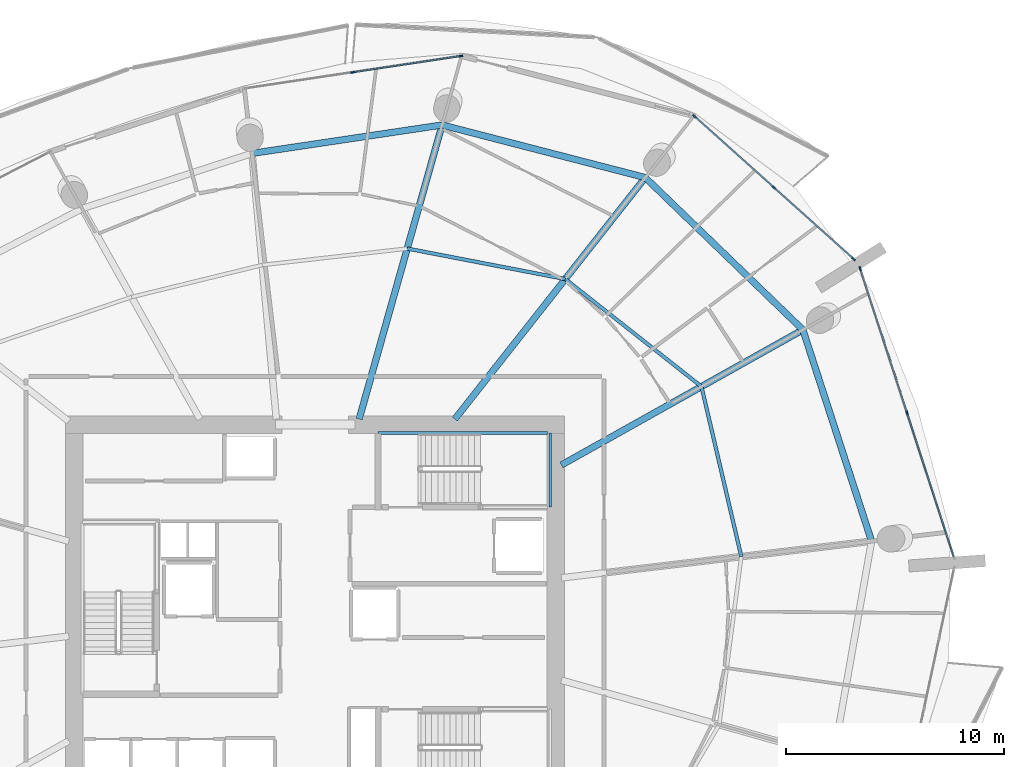
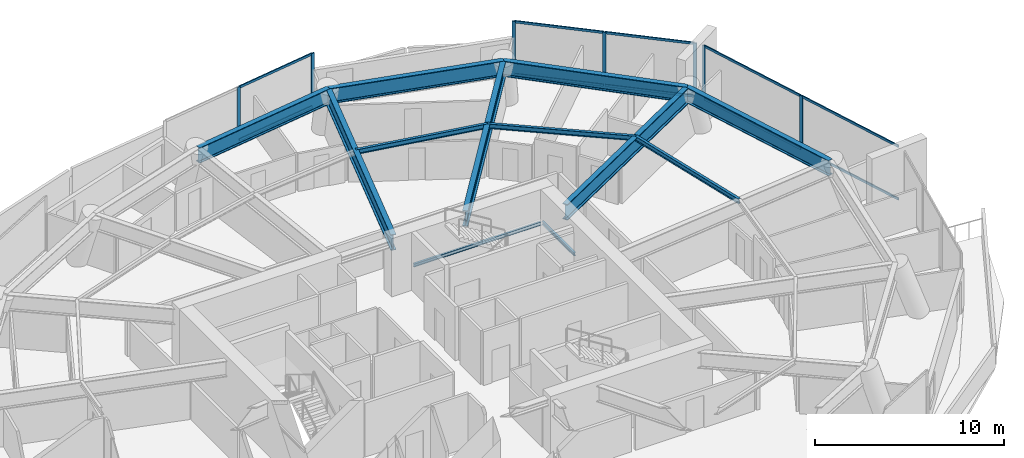
# One storey, part 9 of 23: 17 members, 12 beams, 3 elements without a shape of their own.
"""IFC4 building model written with IfcOpenShell, lengths in metres."""

from ifc_helpers import new_model, si_unit, direction, frame, origin, origin_2d, place, context, subcontext, project, spatial, rectangle, i_section, extrude, material, layer, layer_set, material_profile, profile_set, type_object, element, aggregate, save


model = new_model("IFC4")

# Units and contexts
model_context = context("Model", 3, precision=1e-05, world=origin(), true_north=direction((0.0, 1.0)))
body_context = subcontext(model_context, "Body", "Model", "MODEL_VIEW")
ifc_project = project(units=[si_unit("LENGTHUNIT", "METRE"), si_unit("AREAUNIT", "SQUARE_METRE"), si_unit("VOLUMEUNIT", "CUBIC_METRE"), si_unit("PLANEANGLEUNIT", "RADIAN"), si_unit("MASSUNIT", "GRAM", prefix="KILO")], contexts=[model_context])

# Site, building, storey
site_placement = place(None, origin())
site = spatial("IfcSite", under=ifc_project, at=site_placement, CompositionType="ELEMENT")
building_placement = place(site_placement, origin())
building = spatial("IfcBuilding", under=site, at=building_placement, Name="Kazma Halo Residences", CompositionType="ELEMENT")
storey_placement = place(building_placement, frame((0.0, 0.0, 112.64990234375)))
storey = spatial("IfcBuildingStorey", under=building, at=storey_placement, Name="L28", CompositionType="ELEMENT", Elevation=112.64990234375)

# Beams
ifc_material_1 = material(Name="Steel S355", Category="steel")
ifc_material_profile_1 = material_profile(ifc_material_1, i_section(OverallWidth=0.1650390625, OverallDepth=0.31005859375, WebThickness=0.005859375, FlangeThickness=0.009765625, FilletRadius=0.011962890625, at=origin_2d()), Name="W310x38.7")
ifc_profile_set_1 = profile_set([ifc_material_profile_1], Name="Steel S355")
beam_type_1 = type_object("IfcBeamType", Name="BM-SEC-W310B", PredefinedType="JOIST", material=ifc_profile_set_1)
beam_1_placement = place(storey_placement, frame((66.110595703125, 52.142333984375, 3.315185546875), z_axis=(-0.784864670707, 0.619667208004, 0.0), x_axis=(-0.619667208004, -0.784864670707, 0.0)))
element("IfcBeam", 1, at=beam_1_placement, inside=storey, type_object=beam_type_1, Name="L28 circumferential floor joist 01", PredefinedType="JOIST", context=body_context, shape_type="SweptSolid", body=[
    extrude(i_section(OverallWidth=0.1650390625, OverallDepth=0.31005859375, WebThickness=0.005859375, FlangeThickness=0.009765625, FilletRadius=0.011962890625, at=origin_2d()), origin(), (0.0, 0.0, 1.0), 7.943603515625),
])
beam_2_placement = place(storey_placement, frame((59.8759765625, 57.064697265625, 3.315185546875), z_axis=(-0.981894944098, 0.189426288449, 0.0), x_axis=(-0.189426288449, -0.981894944098, 0.0)))
element("IfcBeam", 2, at=beam_2_placement, inside=storey, type_object=beam_type_1, Name="L28 circumferential floor joist 02", PredefinedType="JOIST", context=body_context, shape_type="SweptSolid", body=[
    extrude(i_section(OverallWidth=0.1650390625, OverallDepth=0.31005859375, WebThickness=0.005859375, FlangeThickness=0.009765625, FilletRadius=0.011962890625, at=origin_2d()), origin(), (0.0, 0.0, 1.0), 7.366943359375),
])
beam_3_placement = place(storey_placement, frame((67.934326171875, 44.359375, 3.315185546875), z_axis=(-0.228143824758, 0.973627441697, 0.0), x_axis=(-0.973627441697, -0.228143824758, 0.0)))
element("IfcBeam", 3, at=beam_3_placement, inside=storey, type_object=beam_type_1, Name="L28 circumferential floor joist 16", PredefinedType="JOIST", context=body_context, shape_type="SweptSolid", body=[
    extrude(i_section(OverallWidth=0.1650390625, OverallDepth=0.31005859375, WebThickness=0.005859375, FlangeThickness=0.009765625, FilletRadius=0.011962890625, at=origin_2d()), origin(), (0.0, 0.0, 1.0), 7.993896484375),
])
ifc_material_profile_2 = material_profile(ifc_material_1, i_section(OverallWidth=0.302001953125, OverallDepth=1.01806640625, WebThickness=0.021484375, FlangeThickness=0.049072265625, FilletRadius=0.028076171875, at=origin_2d()), Name="W1000x443")
ifc_profile_set_2 = profile_set([ifc_material_profile_2], Name="Steel S355")
beam_type_2 = type_object("IfcBeamType", Name="BM-TRANS-W1000A", PredefinedType="BEAM", material=ifc_profile_set_2)
beam_4_placement = place(storey_placement, frame((59.699951171875, 48.55224609375, 2.961181640625), z_axis=(0.872496814107, 0.48861980043, 0.0), x_axis=(-0.48861980043, 0.872496814107, 0.0)))
element("IfcBeam", 4, at=beam_4_placement, inside=storey, type_object=beam_type_2, Name="L28 podium radial transfer girder 01", PredefinedType="BEAM", context=body_context, shape_type="SweptSolid", body=[
    extrude(i_section(OverallWidth=0.302001953125, OverallDepth=1.01806640625, WebThickness=0.021484375, FlangeThickness=0.049072265625, FilletRadius=0.028076171875, at=origin_2d()), origin(), (0.0, 0.0, 1.0), 12.668212890625),
])
beam_5_placement = place(storey_placement, frame((54.819091796875, 50.64990234375, 2.961181640625), z_axis=(0.619089364637, 0.785320545123, 0.0), x_axis=(-0.785320545123, 0.619089364637, 0.0)))
element("IfcBeam", 5, at=beam_5_placement, inside=storey, type_object=beam_type_2, Name="L28 podium radial transfer girder 02", PredefinedType="BEAM", context=body_context, shape_type="SweptSolid", body=[
    extrude(i_section(OverallWidth=0.302001953125, OverallDepth=1.01806640625, WebThickness=0.021484375, FlangeThickness=0.049072265625, FilletRadius=0.028076171875, at=origin_2d()), origin(), (0.0, 0.0, 1.0), 14.083251953125),
])
beam_6_placement = place(storey_placement, frame((50.439697265625, 50.64990234375, 2.961181640625), z_axis=(0.271430738381, 0.962457975323, 0.0), x_axis=(-0.962457975323, 0.271430738381, 0.0)))
element("IfcBeam", 6, at=beam_6_placement, inside=storey, type_object=beam_type_2, Name="L28 podium radial transfer girder 03", PredefinedType="BEAM", context=body_context, shape_type="SweptSolid", body=[
    extrude(i_section(OverallWidth=0.302001953125, OverallDepth=1.01806640625, WebThickness=0.021484375, FlangeThickness=0.049072265625, FilletRadius=0.028076171875, at=origin_2d()), origin(), (0.0, 0.0, 1.0), 13.990966796875),
])
ifc_material_profile_3 = material_profile(ifc_material_1, i_section(OverallWidth=0.300048828125, OverallDepth=1.0, WebThickness=0.01904296875, FlangeThickness=0.0400390625, FilletRadius=0.02587890625, at=origin_2d()), Name="W1000x371")
ifc_profile_set_3 = profile_set([ifc_material_profile_3], Name="Steel S355")
beam_type_3 = type_object("IfcBeamType", Name="BM-TRANS-W1000B", PredefinedType="BEAM", material=ifc_profile_set_3)
beam_7_placement = place(storey_placement, frame((70.7529296875, 54.7421875, 2.97021484375), z_axis=(-0.71933980474, 0.694658365901, 0.0), x_axis=(-0.694658365901, -0.71933980474, 0.0)))
element("IfcBeam", 7, at=beam_7_placement, inside=storey, type_object=beam_type_3, Name="L28 perimeter ring beam 01", PredefinedType="BEAM", context=body_context, shape_type="SweptSolid", body=[
    extrude(i_section(OverallWidth=0.300048828125, OverallDepth=1.0, WebThickness=0.01904296875, FlangeThickness=0.0400390625, FilletRadius=0.02587890625, at=origin_2d()), origin(), (0.0, 0.0, 1.0), 10.0302734375),
])
beam_8_placement = place(storey_placement, frame((63.537841796875, 61.709716796875, 2.97021484375), z_axis=(-0.968129383871, 0.250450586115, 0.0), x_axis=(-0.250450586115, -0.968129383871, 0.0)))
element("IfcBeam", 8, at=beam_8_placement, inside=storey, type_object=beam_type_3, Name="L28 perimeter ring beam 02", PredefinedType="BEAM", context=body_context, shape_type="SweptSolid", body=[
    extrude(i_section(OverallWidth=0.300048828125, OverallDepth=1.0, WebThickness=0.01904296875, FlangeThickness=0.0400390625, FilletRadius=0.02587890625, at=origin_2d()), origin(), (0.0, 0.0, 1.0), 9.606689453125),
])
beam_9_placement = place(storey_placement, frame((54.2373046875, 64.11572265625, 2.97021484375), z_axis=(-0.989037895596, -0.147661914772, 0.0), x_axis=(0.147661914772, -0.989037895596, 0.0)))
element("IfcBeam", 9, at=beam_9_placement, inside=storey, type_object=beam_type_3, Name="L28 perimeter ring beam 03", PredefinedType="BEAM", context=body_context, shape_type="SweptSolid", body=[
    extrude(i_section(OverallWidth=0.300048828125, OverallDepth=1.0, WebThickness=0.01904296875, FlangeThickness=0.0400390625, FilletRadius=0.02587890625, at=origin_2d()), origin(), (0.0, 0.0, 1.0), 8.797607421875),
])
beam_10_placement = place(storey_placement, frame((73.897216796875, 45.065185546875, 2.97021484375), z_axis=(-0.30902042344, 0.951055402118, 0.0), x_axis=(-0.951055402118, -0.30902042344, 0.0)))
element("IfcBeam", 10, at=beam_10_placement, inside=storey, type_object=beam_type_3, Name="L28 perimeter ring beam 16", PredefinedType="BEAM", context=body_context, shape_type="SweptSolid", body=[
    extrude(i_section(OverallWidth=0.300048828125, OverallDepth=1.0, WebThickness=0.01904296875, FlangeThickness=0.0400390625, FilletRadius=0.02587890625, at=origin_2d()), origin(), (0.0, 0.0, 1.0), 10.175048828125),
])
ifc_material_profile_4 = material_profile(ifc_material_1, i_section(OverallWidth=0.133056640625, OverallDepth=0.20703125, WebThickness=0.005859375, FlangeThickness=0.00830078125, FilletRadius=0.010009765625, at=origin_2d()), Name="W200x26.6")
ifc_profile_set_4 = profile_set([ifc_material_profile_4], Name="Steel S355")
beam_type_4 = type_object("IfcBeamType", Name="BM-TRIM-W200", PredefinedType="BEAM", material=ifc_profile_set_4)
beam_11_placement = place(storey_placement, frame((51.31005859375, 50.02001953125, 1.570068359375), z_axis=(1.0, 0.0, 0.0), x_axis=(0.0, 1.0, 0.0)))
element("IfcBeam", 11, at=beam_11_placement, inside=storey, type_object=beam_type_4, Name="L28 ST-02 landing north wall ledger", PredefinedType="BEAM", context=body_context, shape_type="SweptSolid", body=[
    extrude(i_section(OverallWidth=0.133056640625, OverallDepth=0.20703125, WebThickness=0.005859375, FlangeThickness=0.00830078125, FilletRadius=0.010009765625, at=origin_2d()), origin(), (0.0, 0.0, 1.0), 7.760009765625),
])
beam_12_placement = place(storey_placement, frame((59.18994140625, 46.6201171875, 1.570068359375), z_axis=(0.0, 1.0, 0.0), x_axis=(-1.0, 0.0, 0.0)))
element("IfcBeam", 12, at=beam_12_placement, inside=storey, type_object=beam_type_4, Name="L28 ST-02 landing end wall ledger", PredefinedType="BEAM", context=body_context, shape_type="SweptSolid", body=[
    extrude(i_section(OverallWidth=0.133056640625, OverallDepth=0.20703125, WebThickness=0.005859375, FlangeThickness=0.00830078125, FilletRadius=0.010009765625, at=origin_2d()), origin(), (0.0, 0.0, 1.0), 3.39990234375),
])

# Curtain wall, members
ifc_material_2 = material(Name="Aluminium AW-6063 T6 and Triple-Silver Low-E Glass", Category="aluminium")
ifc_layer = layer(ifc_material_2, 0.199951171875)
ifc_layer_set = layer_set([ifc_layer], Name="Aluminium AW-6063 T6 and Triple-Silver Low-E Glass")
curtain_wall_type = type_object("IfcCurtainWallType", Name="CW-SYS-3", PredefinedType="NOTDEFINED", material=ifc_layer_set)
curtain_wall_1_placement = place(storey_placement, origin())
curtain_wall_1 = element("IfcCurtainWall", 13, at=curtain_wall_1_placement, inside=storey, type_object=curtain_wall_type, Name="L28 unitised curtain wall B01", PredefinedType="NOTDEFINED")
ifc_material_3 = material(Name="Aluminium AW-6063 T6", Category="aluminium")
ifc_material_profile_5 = material_profile(ifc_material_3, rectangle(XDim=0.070068359375, YDim=0.199951171875, at=origin_2d()), Name="CWM-70x200")
ifc_profile_set_5 = profile_set([ifc_material_profile_5], Name="Aluminium AW-6063 T6")
member_type_1 = type_object("IfcMemberType", Name="CW-SYS-3-MUL", PredefinedType="MULLION", material=ifc_profile_set_5)
member_1_placement = place(storey_placement, frame((73.071044921875, 57.981201171875, 0.0), z_axis=(0.0, 0.0, 1.0), x_axis=(-0.667794957375, -0.744345279359, 0.0)))
member_1 = element("IfcMember", 14, at=member_1_placement, type_object=member_type_1, Name="CWS-3 mullion 1", PredefinedType="MULLION", context=body_context, shape_type="SweptSolid", body=[
    extrude(rectangle(XDim=0.070068359375, YDim=0.199951171875, at=origin_2d()), origin(), (0.0, 0.0, 1.0), 3.47021484375),
])
member_2_placement = place(storey_placement, frame((69.431396484375, 61.24658203125, 0.0), z_axis=(0.0, 0.0, 1.0), x_axis=(-0.667794957375, -0.744345279359, 0.0)))
member_2 = element("IfcMember", 15, at=member_2_placement, type_object=member_type_1, Name="CWS-3 mullion 2", PredefinedType="MULLION", context=body_context, shape_type="SweptSolid", body=[
    extrude(rectangle(XDim=0.070068359375, YDim=0.199951171875, at=origin_2d()), origin(), (0.0, 0.0, 1.0), 3.47021484375),
])
member_3_placement = place(storey_placement, frame((65.791748046875, 64.51220703125, 0.0), z_axis=(0.0, 0.0, 1.0), x_axis=(-0.667794957375, -0.744345279359, 0.0)))
member_3 = element("IfcMember", 16, at=member_3_placement, type_object=member_type_1, Name="CWS-3 mullion 3", PredefinedType="MULLION", context=body_context, shape_type="SweptSolid", body=[
    extrude(rectangle(XDim=0.070068359375, YDim=0.199951171875, at=origin_2d()), origin(), (0.0, 0.0, 1.0), 3.47021484375),
])

curtain_wall_2_placement = place(storey_placement, origin())
curtain_wall_2 = element("IfcCurtainWall", 17, at=curtain_wall_2_placement, inside=storey, type_object=curtain_wall_type, Name="L28 unitised curtain wall B03", PredefinedType="NOTDEFINED")
member_4_placement = place(storey_placement, frame((55.09423828125, 67.271728515625, 0.0), z_axis=(0.0, 0.0, 1.0), x_axis=(0.148717330409, -0.988879747814, 0.0)))
member_4 = element("IfcMember", 18, at=member_4_placement, type_object=member_type_1, Name="CWS-3 mullion 1", PredefinedType="MULLION", context=body_context, shape_type="SweptSolid", body=[
    extrude(rectangle(XDim=0.070068359375, YDim=0.199951171875, at=origin_2d()), origin(), (0.0, 0.0, 1.0), 3.47021484375),
])
member_5_placement = place(storey_placement, frame((50.156982421875, 66.529296875, 0.0), z_axis=(0.0, 0.0, 1.0), x_axis=(0.148717330409, -0.988879747814, 0.0)))
member_5 = element("IfcMember", 19, at=member_5_placement, type_object=member_type_1, Name="CWS-3 mullion 2", PredefinedType="MULLION", context=body_context, shape_type="SweptSolid", body=[
    extrude(rectangle(XDim=0.070068359375, YDim=0.199951171875, at=origin_2d()), origin(), (0.0, 0.0, 1.0), 3.47021484375),
])

curtain_wall_3_placement = place(storey_placement, origin())
curtain_wall_3 = element("IfcCurtainWall", 20, at=curtain_wall_3_placement, inside=storey, type_object=curtain_wall_type, Name="L28 unitised curtain wall B16", PredefinedType="NOTDEFINED")
member_6_placement = place(storey_placement, frame((75.52099609375, 50.942138671875, 0.0), z_axis=(0.0, 0.0, 1.0), x_axis=(-0.951057722508, -0.309013282008, 0.0)))
member_6 = element("IfcMember", 21, at=member_6_placement, type_object=member_type_1, Name="CWS-3 mullion 2", PredefinedType="MULLION", context=body_context, shape_type="SweptSolid", body=[
    extrude(rectangle(XDim=0.070068359375, YDim=0.199951171875, at=origin_2d()), origin(), (0.0, 0.0, 1.0), 3.47021484375),
])
member_7_placement = place(storey_placement, frame((73.376708984375, 57.54150390625, 0.0), z_axis=(0.0, 0.0, 1.0), x_axis=(-0.951057722508, -0.309013282008, 0.0)))
member_7 = element("IfcMember", 22, at=member_7_placement, type_object=member_type_1, Name="CWS-3 mullion 3", PredefinedType="MULLION", context=body_context, shape_type="SweptSolid", body=[
    extrude(rectangle(XDim=0.070068359375, YDim=0.199951171875, at=origin_2d()), origin(), (0.0, 0.0, 1.0), 3.47021484375),
])

# Member
ifc_material_profile_6 = material_profile(ifc_material_3, rectangle(XDim=0.070068359375, YDim=0.14990234375, at=origin_2d()), Name="CWT-70x150")
ifc_profile_set_6 = profile_set([ifc_material_profile_6], Name="Aluminium AW-6063 T6")
member_type_2 = type_object("IfcMemberType", Name="CW-SYS-3-TRN", PredefinedType="USERDEFINED", material=ifc_profile_set_6)
member_8_placement = place(storey_placement, frame((73.045166015625, 58.004638671875, 0.03515625), z_axis=(-0.744338471453, 0.667802545603, 0.0), x_axis=(-0.667802545603, -0.744338471453, 0.0)))
member_8 = element("IfcMember", 23, at=member_8_placement, type_object=member_type_2, Name="CWS-3 transom 1.1", ObjectType="TRANSOM", PredefinedType="USERDEFINED", context=body_context, shape_type="SweptSolid", body=[
    extrude(rectangle(XDim=0.070068359375, YDim=0.14990234375, at=origin_2d()), origin(), (0.0, 0.0, 1.0), 4.81982421875),
])

member_9_placement = place(storey_placement, frame((73.045166015625, 58.004638671875, 3.43505859375), z_axis=(-0.744338471453, 0.667802545603, 0.0), x_axis=(-0.667802545603, -0.744338471453, 0.0)))
member_9 = element("IfcMember", 24, at=member_9_placement, type_object=member_type_2, Name="CWS-3 transom 1.2", ObjectType="TRANSOM", PredefinedType="USERDEFINED", context=body_context, shape_type="SweptSolid", body=[
    extrude(rectangle(XDim=0.070068359375, YDim=0.14990234375, at=origin_2d()), origin(), (0.0, 0.0, 1.0), 4.81982421875),
])

member_10_placement = place(storey_placement, frame((69.4052734375, 61.27001953125, 0.03515625), z_axis=(-0.744338471453, 0.667802545603, 0.0), x_axis=(-0.667802545603, -0.744338471453, 0.0)))
member_10 = element("IfcMember", 25, at=member_10_placement, type_object=member_type_2, Name="CWS-3 transom 2.1", ObjectType="TRANSOM", PredefinedType="USERDEFINED", context=body_context, shape_type="SweptSolid", body=[
    extrude(rectangle(XDim=0.070068359375, YDim=0.14990234375, at=origin_2d()), origin(), (0.0, 0.0, 1.0), 4.81982421875),
])

member_11_placement = place(storey_placement, frame((69.4052734375, 61.27001953125, 3.43505859375), z_axis=(-0.744338471453, 0.667802545603, 0.0), x_axis=(-0.667802545603, -0.744338471453, 0.0)))
member_11 = element("IfcMember", 26, at=member_11_placement, type_object=member_type_2, Name="CWS-3 transom 2.2", ObjectType="TRANSOM", PredefinedType="USERDEFINED", context=body_context, shape_type="SweptSolid", body=[
    extrude(rectangle(XDim=0.070068359375, YDim=0.14990234375, at=origin_2d()), origin(), (0.0, 0.0, 1.0), 4.81982421875),
])

aggregate(curtain_wall_1, [member_1, member_2, member_3, member_8, member_9, member_10, member_11])

member_12_placement = place(storey_placement, frame((55.0595703125, 67.2666015625, 0.03515625), z_axis=(-0.988876977991, -0.148735746878, 0.0), x_axis=(0.148735746878, -0.988876977991, 0.0)))
member_12 = element("IfcMember", 27, at=member_12_placement, type_object=member_type_2, Name="CWS-3 transom 1.1", ObjectType="TRANSOM", PredefinedType="USERDEFINED", context=body_context, shape_type="SweptSolid", body=[
    extrude(rectangle(XDim=0.070068359375, YDim=0.14990234375, at=origin_2d()), origin(), (0.0, 0.0, 1.0), 4.922607421875),
])

member_13_placement = place(storey_placement, frame((55.0595703125, 67.2666015625, 3.43505859375), z_axis=(-0.988876977991, -0.148735746878, 0.0), x_axis=(0.148735746878, -0.988876977991, 0.0)))
member_13 = element("IfcMember", 28, at=member_13_placement, type_object=member_type_2, Name="CWS-3 transom 1.2", ObjectType="TRANSOM", PredefinedType="USERDEFINED", context=body_context, shape_type="SweptSolid", body=[
    extrude(rectangle(XDim=0.070068359375, YDim=0.14990234375, at=origin_2d()), origin(), (0.0, 0.0, 1.0), 4.922607421875),
])

aggregate(curtain_wall_2, [member_4, member_5, member_12, member_13])

member_14_placement = place(storey_placement, frame((77.654541015625, 44.3759765625, 0.03515625), z_axis=(-0.309000079699, 0.95106201204, 0.0), x_axis=(-0.95106201204, -0.309000079699, 0.0)))
member_14 = element("IfcMember", 29, at=member_14_placement, type_object=member_type_2, Name="CWS-3 transom 1.1", ObjectType="TRANSOM", PredefinedType="USERDEFINED", context=body_context, shape_type="SweptSolid", body=[
    extrude(rectangle(XDim=0.070068359375, YDim=0.14990234375, at=origin_2d()), origin(), (0.0, 0.0, 1.0), 6.869140625),
])

member_15_placement = place(storey_placement, frame((77.654541015625, 44.3759765625, 3.43505859375), z_axis=(-0.309000079699, 0.95106201204, 0.0), x_axis=(-0.95106201204, -0.309000079699, 0.0)))
member_15 = element("IfcMember", 30, at=member_15_placement, type_object=member_type_2, Name="CWS-3 transom 1.2", ObjectType="TRANSOM", PredefinedType="USERDEFINED", context=body_context, shape_type="SweptSolid", body=[
    extrude(rectangle(XDim=0.070068359375, YDim=0.14990234375, at=origin_2d()), origin(), (0.0, 0.0, 1.0), 6.869140625),
])

member_16_placement = place(storey_placement, frame((75.51025390625, 50.975341796875, 0.03515625), z_axis=(-0.309000079699, 0.95106201204, 0.0), x_axis=(-0.95106201204, -0.309000079699, 0.0)))
member_16 = element("IfcMember", 31, at=member_16_placement, type_object=member_type_2, Name="CWS-3 transom 2.1", ObjectType="TRANSOM", PredefinedType="USERDEFINED", context=body_context, shape_type="SweptSolid", body=[
    extrude(rectangle(XDim=0.070068359375, YDim=0.14990234375, at=origin_2d()), origin(), (0.0, 0.0, 1.0), 6.869140625),
])

member_17_placement = place(storey_placement, frame((75.51025390625, 50.975341796875, 3.43505859375), z_axis=(-0.309000079699, 0.95106201204, 0.0), x_axis=(-0.95106201204, -0.309000079699, 0.0)))
member_17 = element("IfcMember", 32, at=member_17_placement, type_object=member_type_2, Name="CWS-3 transom 2.2", ObjectType="TRANSOM", PredefinedType="USERDEFINED", context=body_context, shape_type="SweptSolid", body=[
    extrude(rectangle(XDim=0.070068359375, YDim=0.14990234375, at=origin_2d()), origin(), (0.0, 0.0, 1.0), 6.869140625),
])

aggregate(curtain_wall_3, [member_6, member_7, member_14, member_15, member_16, member_17])

save(model, "model.ifc")
